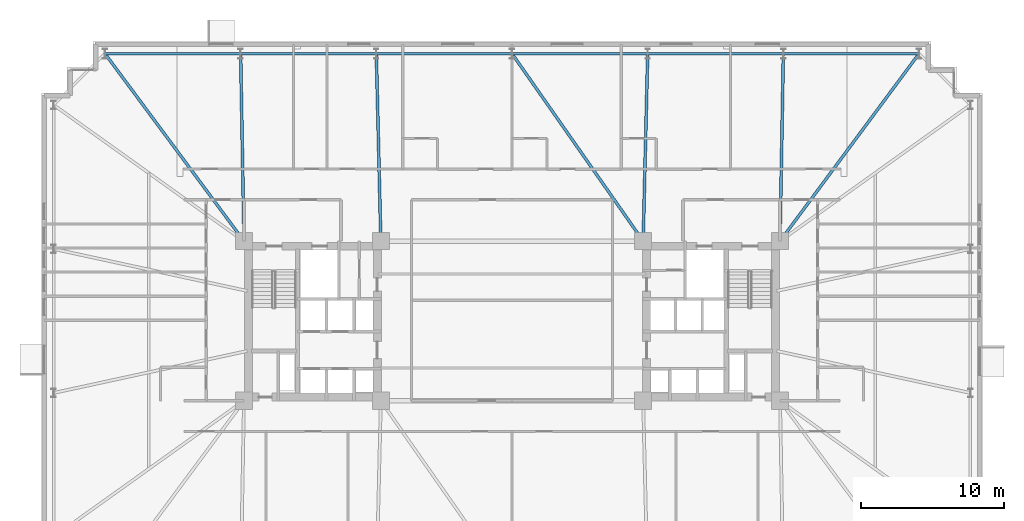
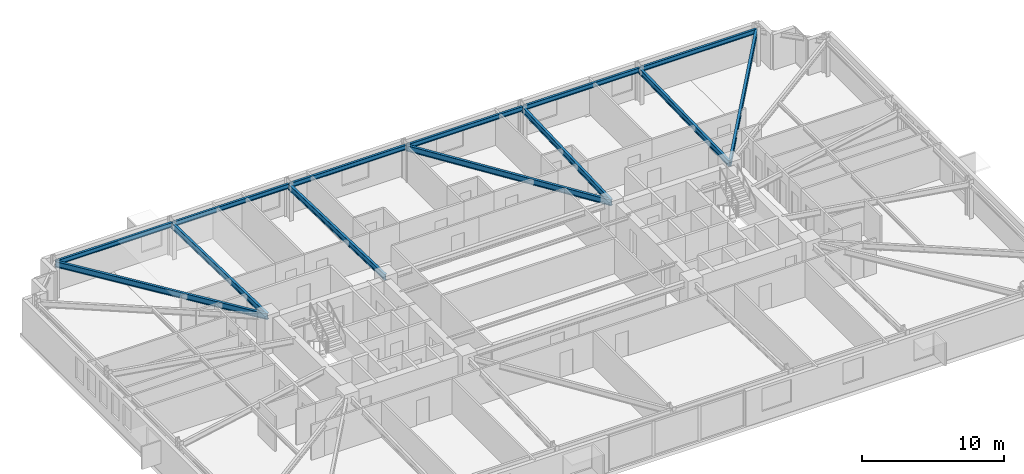
# One storey, part 13 of 26: 13 beams.
"""IFC4 building model written with IfcOpenShell, lengths in metres."""

import ifcopenshell
import ifcopenshell.guid

model = None  # the IFC model being written
_history = None  # IfcOwnerHistory: only IFC2X3 demands one
_inside = {}  # id of a spatial element -> (the spatial element, [elements in it])
_under = {}  # id of a project, library or spatial element -> (it, [spatial elements below it])
_declared = {}  # id of a project -> (the project, [libraries it declares])
_typed = {}  # id of a type object -> (the type object, [elements of that type])
_made_of = {}  # id of a material, layer set ... -> (it, [elements and type objects made of it])


def new_model(schema):
    """Start an empty IFC model of exactly this schema.

    Asked for "IFC4X3", IfcOpenShell would pick the latest addendum, in which some entities
    have other attributes; the version numbers below select the first issue.
    IFC2X3 requires an IfcOwnerHistory on every rooted entity: one is made here for all.
    """
    global model, _history
    if schema == "IFC4X3":
        model = ifcopenshell.file(schema_version=(4, 3, 0, 0))
    else:
        model = ifcopenshell.file(schema=schema)
    _inside.clear()
    _under.clear()
    _declared.clear()
    _typed.clear()
    _made_of.clear()
    _history = None
    if model.schema == "IFC2X3":
        org = make("IfcOrganization", Name="unknown")
        user = make(
            "IfcPersonAndOrganization",
            ThePerson=make("IfcPerson", FamilyName="unknown"),
            TheOrganization=org,
        )
        app = make(
            "IfcApplication",
            ApplicationDeveloper=org,
            Version="unknown",
            ApplicationFullName="unknown",
            ApplicationIdentifier="unknown",
        )
        _history = make(
            "IfcOwnerHistory",
            OwningUser=user,
            OwningApplication=app,
            ChangeAction="ADDED",
            CreationDate=0,
        )
    return model


def make(cls, **values):
    """One entity of the class cls with the attributes given. An attribute that is None is left unset."""
    return model.create_entity(
        cls, **{name: value for name, value in values.items() if value is not None}
    )


def rooted(cls, **values):
    """An entity with a GlobalId (a new one), such as an element, a storey or a relation."""
    return make(cls, GlobalId=ifcopenshell.guid.new(), OwnerHistory=_history, **values)


def si_unit(unit_type, name, prefix=None):
    """IfcSIUnit, for example si_unit("LENGTHUNIT", "METRE", prefix="MILLI")."""
    return make("IfcSIUnit", UnitType=unit_type, Prefix=prefix, Name=name)


def assignment(units):
    """IfcUnitAssignment: the units of a project."""
    return None if units is None else make("IfcUnitAssignment", Units=units)


def point(xyz):
    """IfcCartesianPoint."""
    return None if xyz is None else make("IfcCartesianPoint", Coordinates=xyz)


def direction(xyz):
    """IfcDirection."""
    return None if xyz is None else make("IfcDirection", DirectionRatios=xyz)


def frame(location, z_axis=None, x_axis=None):
    """IfcAxis2Placement3D, a coordinate frame: its origin and axes. An axis left out is left unset."""
    return make(
        "IfcAxis2Placement3D",
        Location=point(location),
        Axis=direction(z_axis),
        RefDirection=direction(x_axis),
    )


def frame_2d(location, x_axis=None):
    """IfcAxis2Placement2D, a coordinate frame in the plane: its origin and x axis."""
    return make(
        "IfcAxis2Placement2D", Location=point(location), RefDirection=direction(x_axis)
    )


def origin():
    """The frame at (0, 0, 0) with its axes left unset."""
    return frame((0.0, 0.0, 0.0))


def origin_2d():
    """The frame at (0, 0) in the plane with its x axis left unset."""
    return frame_2d((0.0, 0.0))


def place(relative_to, where):
    """IfcLocalPlacement: puts the frame where relative to a parent placement (None: the world)."""
    return make(
        "IfcLocalPlacement", PlacementRelTo=relative_to, RelativePlacement=where
    )


def context(
    kind, dimensions, precision=None, world=None, true_north=None, identifier=None
):
    """IfcGeometricRepresentationContext, for example the 3D "Model" context."""
    return make(
        "IfcGeometricRepresentationContext",
        ContextIdentifier=identifier,
        ContextType=kind,
        CoordinateSpaceDimension=dimensions,
        Precision=precision,
        WorldCoordinateSystem=world,
        TrueNorth=true_north,
    )


def subcontext(parent, identifier, kind, view, scale=None):
    """IfcGeometricRepresentationSubContext, for example "Body" below "Model"."""
    return make(
        "IfcGeometricRepresentationSubContext",
        ContextIdentifier=identifier,
        ContextType=kind,
        ParentContext=parent,
        TargetScale=scale,
        TargetView=view,
    )


def project(units=None, contexts=None):
    """IfcProject with its units and contexts."""
    return rooted(
        "IfcProject",
        Name="project",
        RepresentationContexts=contexts,
        UnitsInContext=assignment(units),
    )


def spatial(cls, under=None, at=None, **own):
    """A site, building, storey or space (cls), placed at a placement, below another one or the project."""
    s = rooted(cls, ObjectPlacement=at, **own)
    if under is not None:
        _under.setdefault(under.id(), (under, []))[1].append(s)
    return s


def profile(cls, at=None, kind="AREA", **sizes):
    """A parametric profile (cls). Its sizes go by their IFC names, for example OverallWidth=200.0."""
    return make(cls, ProfileType=kind, Position=at, **sizes)


def i_section(**sizes):
    """IfcIShapeProfileDef."""
    return profile("IfcIShapeProfileDef", **sizes)


def extrude(swept, where, along, depth):
    """IfcExtrudedAreaSolid: the profile swept, set in the frame where, extruded along a direction by depth."""
    return make(
        "IfcExtrudedAreaSolid",
        SweptArea=swept,
        Position=where,
        ExtrudedDirection=direction(along),
        Depth=depth,
    )


def shape(context_of_items, identifier, shape_type, items):
    """IfcShapeRepresentation: the items that make up one representation, for example the "Body"."""
    return make(
        "IfcShapeRepresentation",
        ContextOfItems=context_of_items,
        RepresentationIdentifier=identifier,
        RepresentationType=shape_type,
        Items=items,
    )


def material(Name=None, Category=None):
    """IfcMaterial."""
    return make("IfcMaterial", Name=Name, Category=Category)


def material_profile(
    of_material, cross_section, Name=None, Category=None, Priority=None
):
    """IfcMaterialProfile: a cross section and its material."""
    return make(
        "IfcMaterialProfile",
        Name=Name,
        Material=of_material,
        Profile=cross_section,
        Priority=Priority,
        Category=Category,
    )


def profile_set(profiles, Name=None, composite=None):
    """IfcMaterialProfileSet."""
    return make(
        "IfcMaterialProfileSet",
        Name=Name,
        MaterialProfiles=profiles,
        CompositeProfile=composite,
    )


def made_of(thing, what):
    """Note that an element or type object is made of a material, layer set ...; save() writes the relation."""
    if what is not None:
        _made_of.setdefault(what.id(), (what, []))[1].append(thing)
    return thing


def type_object(cls, material=None, **own):
    """A type object (cls), such as IfcWallType, which elements share."""
    return made_of(rooted(cls, **own), material)


def element(
    cls,
    number,
    at=None,
    inside=None,
    cuts=None,
    type_object=None,
    material=None,
    context=None,
    identifier="Body",
    shape_type=None,
    held_by="IfcProductDefinitionShape",
    body=None,
    shapes=None,
    **own,
):
    """One element of the class cls, such as IfcWall. Its Tag is "e" and its number.

    at: its placement. inside: the storey or other place that contains it. cuts: it is an
    opening in that element (IfcRelVoidsElement). A single representation is given by context,
    identifier, shape_type and body (its items); several are given by shapes. held_by: the class
    of the entity that holds the representations. save() writes the other relations.
    """
    e = rooted(cls, Tag="e%d" % number, ObjectPlacement=at, **own)
    if body is not None:
        shapes = [shape(context, identifier, shape_type, body)]
    if shapes is not None:
        e.Representation = make(held_by, Representations=shapes)
    if inside is not None:
        _inside.setdefault(inside.id(), (inside, []))[1].append(e)
    if cuts is not None:
        rooted(
            "IfcRelVoidsElement", RelatingBuildingElement=cuts, RelatedOpeningElement=e
        )
    if type_object is not None:
        _typed.setdefault(type_object.id(), (type_object, []))[1].append(e)
    return made_of(e, material)


def aggregate(whole, parts):
    """IfcRelAggregates: a whole, such as a stair, and the parts it consists of."""
    return rooted("IfcRelAggregates", RelatingObject=whole, RelatedObjects=parts)


def save(model, path):
    """Write the relations noted so far, then the file.

    IfcRelAggregates (storeys below a building ...), IfcRelContainedInSpatialStructure (elements
    in a storey), IfcRelDefinesByType, IfcRelAssociatesMaterial and IfcRelDeclares: one each for
    every whole, place, type object, material and project.
    """
    for whole, parts in _under.values():
        aggregate(whole, parts)
    for where, things in _inside.values():
        rooted(
            "IfcRelContainedInSpatialStructure",
            RelatedElements=things,
            RelatingStructure=where,
        )
    for kind, things in _typed.values():
        rooted("IfcRelDefinesByType", RelatedObjects=things, RelatingType=kind)
    for what, things in _made_of.values():
        rooted("IfcRelAssociatesMaterial", RelatedObjects=things, RelatingMaterial=what)
    for by, libraries in _declared.values():
        rooted("IfcRelDeclares", RelatingContext=by, RelatedDefinitions=libraries)
    model.write(path)


model = new_model("IFC4")

# Units and contexts
model_context = context("Model", 3, precision=1e-05, world=origin(), true_north=direction((0.0, 1.0)))
body_context = subcontext(model_context, "Body", "Model", "MODEL_VIEW")
ifc_project = project(units=[si_unit("LENGTHUNIT", "METRE"), si_unit("AREAUNIT", "SQUARE_METRE"), si_unit("VOLUMEUNIT", "CUBIC_METRE"), si_unit("PLANEANGLEUNIT", "RADIAN"), si_unit("MASSUNIT", "GRAM", prefix="KILO")], contexts=[model_context])

# Site, building, storey
site_placement = place(None, origin())
site = spatial("IfcSite", under=ifc_project, at=site_placement, CompositionType="ELEMENT")
building_placement = place(site_placement, origin())
building = spatial("IfcBuilding", under=site, at=building_placement, Name="Qobustan Lattice House", CompositionType="ELEMENT")
storey_placement = place(building_placement, frame((0.0, 0.0, 47.10009765625)))
storey = spatial("IfcBuildingStorey", under=building, at=storey_placement, Name="L12", CompositionType="ELEMENT", Elevation=47.10009765625)

# Beams
ifc_material_1 = material(Name="Steel S355", Category="steel")
ifc_material_profile_1 = material_profile(ifc_material_1, i_section(OverallWidth=0.199951171875, OverallDepth=0.5, WebThickness=0.01025390625, FlangeThickness=0.01611328125, FilletRadius=0.02099609375, at=origin_2d()), Name="IPE500")
ifc_profile_set_1 = profile_set([ifc_material_profile_1], Name="Steel S355")
beam_type_1 = type_object("IfcBeamType", Name="BM-FLG-IPE500", PredefinedType="USERDEFINED", material=ifc_profile_set_1)
beam_1_placement = place(storey_placement, frame((-28.53515625, 18.72998046875, 2.784912109375), z_axis=(0.5955916815, -0.803287338956, 0.0), x_axis=(0.803287338956, 0.5955916815, 0.0)))
element("IfcBeam", 1, at=beam_1_placement, inside=storey, type_object=beam_type_1, Name="L12 primary floor girder RAD-N7W", ObjectType="GIRDER", PredefinedType="USERDEFINED", context=body_context, shape_type="SweptSolid", body=[
    extrude(i_section(OverallWidth=0.199951171875, OverallDepth=0.5, WebThickness=0.01025390625, FlangeThickness=0.01611328125, FilletRadius=0.02099609375, at=origin_2d()), origin(), (0.0, 0.0, 1.0), 16.3203125),
])
beam_2_placement = place(storey_placement, frame((-19.032958984375, 18.72509765625, 2.784912109375), z_axis=(0.017757831607, -0.999842317276, 0.0), x_axis=(0.999842317276, 0.017757831607, 0.0)))
element("IfcBeam", 2, at=beam_2_placement, inside=storey, type_object=beam_type_1, Name="L12 primary floor girder RAD-N6", ObjectType="GIRDER", PredefinedType="USERDEFINED", context=body_context, shape_type="SweptSolid", body=[
    extrude(i_section(OverallWidth=0.199951171875, OverallDepth=0.5, WebThickness=0.01025390625, FlangeThickness=0.01611328125, FilletRadius=0.02099609375, at=origin_2d()), origin(), (0.0, 0.0, 1.0), 13.10205078125),
])
beam_3_placement = place(storey_placement, frame((-9.51611328125, 18.72509765625, 2.784912109375), z_axis=(0.024071445657, -0.999710240772, 0.0), x_axis=(0.999710240772, 0.024071445657, 0.0)))
element("IfcBeam", 3, at=beam_3_placement, inside=storey, type_object=beam_type_1, Name="L12 primary floor girder RAD-N5", ObjectType="GIRDER", PredefinedType="USERDEFINED", context=body_context, shape_type="SweptSolid", body=[
    extrude(i_section(OverallWidth=0.199951171875, OverallDepth=0.5, WebThickness=0.01025390625, FlangeThickness=0.01611328125, FilletRadius=0.02099609375, at=origin_2d()), origin(), (0.0, 0.0, 1.0), 13.10400390625),
])
beam_4_placement = place(storey_placement, frame((0.014404296875, 18.7294921875, 2.784912109375), z_axis=(0.57325954206, -0.819373844736, 0.0), x_axis=(0.819373844736, 0.57325954206, 0.0)))
element("IfcBeam", 4, at=beam_4_placement, inside=storey, type_object=beam_type_1, Name="L12 primary floor girder RAD-N4", ObjectType="GIRDER", PredefinedType="USERDEFINED", context=body_context, shape_type="SweptSolid", body=[
    extrude(i_section(OverallWidth=0.199951171875, OverallDepth=0.5, WebThickness=0.01025390625, FlangeThickness=0.01611328125, FilletRadius=0.02099609375, at=origin_2d()), origin(), (0.0, 0.0, 1.0), 15.998779296875),
])
beam_5_placement = place(storey_placement, frame((9.51611328125, 18.72509765625, 2.784912109375), z_axis=(-0.024071445657, -0.999710240772, 0.0), x_axis=(0.999710240772, -0.024071445657, 0.0)))
element("IfcBeam", 5, at=beam_5_placement, inside=storey, type_object=beam_type_1, Name="L12 primary floor girder RAD-N3", ObjectType="GIRDER", PredefinedType="USERDEFINED", context=body_context, shape_type="SweptSolid", body=[
    extrude(i_section(OverallWidth=0.199951171875, OverallDepth=0.5, WebThickness=0.01025390625, FlangeThickness=0.01611328125, FilletRadius=0.02099609375, at=origin_2d()), origin(), (0.0, 0.0, 1.0), 13.10400390625),
])
beam_6_placement = place(storey_placement, frame((19.032958984375, 18.72509765625, 2.784912109375), z_axis=(-0.017757831607, -0.999842317276, 0.0), x_axis=(0.999842317276, -0.017757831607, 0.0)))
element("IfcBeam", 6, at=beam_6_placement, inside=storey, type_object=beam_type_1, Name="L12 primary floor girder RAD-N2", ObjectType="GIRDER", PredefinedType="USERDEFINED", context=body_context, shape_type="SweptSolid", body=[
    extrude(i_section(OverallWidth=0.199951171875, OverallDepth=0.5, WebThickness=0.01025390625, FlangeThickness=0.01611328125, FilletRadius=0.02099609375, at=origin_2d()), origin(), (0.0, 0.0, 1.0), 13.10205078125),
])
beam_7_placement = place(storey_placement, frame((28.53515625, 18.72998046875, 2.784912109375), z_axis=(-0.5955916815, -0.803287338956, 0.0), x_axis=(0.803287338956, -0.5955916815, 0.0)))
element("IfcBeam", 7, at=beam_7_placement, inside=storey, type_object=beam_type_1, Name="L12 primary floor girder RAD-N1E", ObjectType="GIRDER", PredefinedType="USERDEFINED", context=body_context, shape_type="SweptSolid", body=[
    extrude(i_section(OverallWidth=0.199951171875, OverallDepth=0.5, WebThickness=0.01025390625, FlangeThickness=0.01611328125, FilletRadius=0.02099609375, at=origin_2d()), origin(), (0.0, 0.0, 1.0), 16.3203125),
])
ifc_material_2 = material(Name="Steel S355", Category="steel")
ifc_material_profile_2 = material_profile(ifc_material_2, i_section(OverallWidth=0.179931640625, OverallDepth=0.39990234375, WebThickness=0.008544921875, FlangeThickness=0.013427734375, FilletRadius=0.02099609375, at=origin_2d()), Name="IPE400")
ifc_profile_set_2 = profile_set([ifc_material_profile_2], Name="Steel S355")
beam_type_2 = type_object("IfcBeamType", Name="BM-SPD-IPE400", PredefinedType="SPANDREL", material=ifc_profile_set_2)
for number, where, z_axis, x_axis, name in (
    (8, (28.52490234375, 18.75, 2.8349609375), (-1.0, 0.0, 0.0), (0.0, -1.0, 0.0), "L12 perimeter spandrel N1-N2"),
    (9, (19.00830078125, 18.75, 2.8349609375), (-1.0, 0.0, 0.0), (0.0, -1.0, 0.0), "L12 perimeter spandrel N2-N3"),
):
    element("IfcBeam", number, at=place(storey_placement, frame(where, z_axis=z_axis, x_axis=x_axis)), inside=storey, type_object=beam_type_2, Name=name, PredefinedType="SPANDREL", context=body_context, shape_type="SweptSolid", body=[
        extrude(i_section(OverallWidth=0.179931640625, OverallDepth=0.39990234375, WebThickness=0.008544921875, FlangeThickness=0.013427734375, FilletRadius=0.02099609375, at=origin_2d()), origin(), (0.0, 0.0, 1.0), 9.466552734375),
    ])
for number, where, z_axis, x_axis, name in (
    (10, (9.49169921875, 18.75, 2.8349609375), (-1.0, 0.0, 0.0), (0.0, -1.0, 0.0), "L12 perimeter spandrel N3-N4"),
    (11, (-0.02490234375, 18.75, 2.8349609375), (-1.0, 0.0, 0.0), (0.0, -1.0, 0.0), "L12 perimeter spandrel N4-N5"),
):
    element("IfcBeam", number, at=place(storey_placement, frame(where, z_axis=z_axis, x_axis=x_axis)), inside=storey, type_object=beam_type_2, Name=name, PredefinedType="SPANDREL", context=body_context, shape_type="SweptSolid", body=[
        extrude(i_section(OverallWidth=0.179931640625, OverallDepth=0.39990234375, WebThickness=0.008544921875, FlangeThickness=0.013427734375, FilletRadius=0.02099609375, at=origin_2d()), origin(), (0.0, 0.0, 1.0), 9.466796875),
    ])
for number, where, z_axis, x_axis, name in (
    (12, (-9.541748046875, 18.75, 2.8349609375), (-1.0, 0.0, 0.0), (0.0, -1.0, 0.0), "L12 perimeter spandrel N5-N6"),
    (13, (-19.058349609375, 18.75, 2.8349609375), (-1.0, 0.0, 0.0), (0.0, -1.0, 0.0), "L12 perimeter spandrel N6-N7"),
):
    element("IfcBeam", number, at=place(storey_placement, frame(where, z_axis=z_axis, x_axis=x_axis)), inside=storey, type_object=beam_type_2, Name=name, PredefinedType="SPANDREL", context=body_context, shape_type="SweptSolid", body=[
        extrude(i_section(OverallWidth=0.179931640625, OverallDepth=0.39990234375, WebThickness=0.008544921875, FlangeThickness=0.013427734375, FilletRadius=0.02099609375, at=origin_2d()), origin(), (0.0, 0.0, 1.0), 9.466552734375),
    ])

save(model, "model.ifc")
